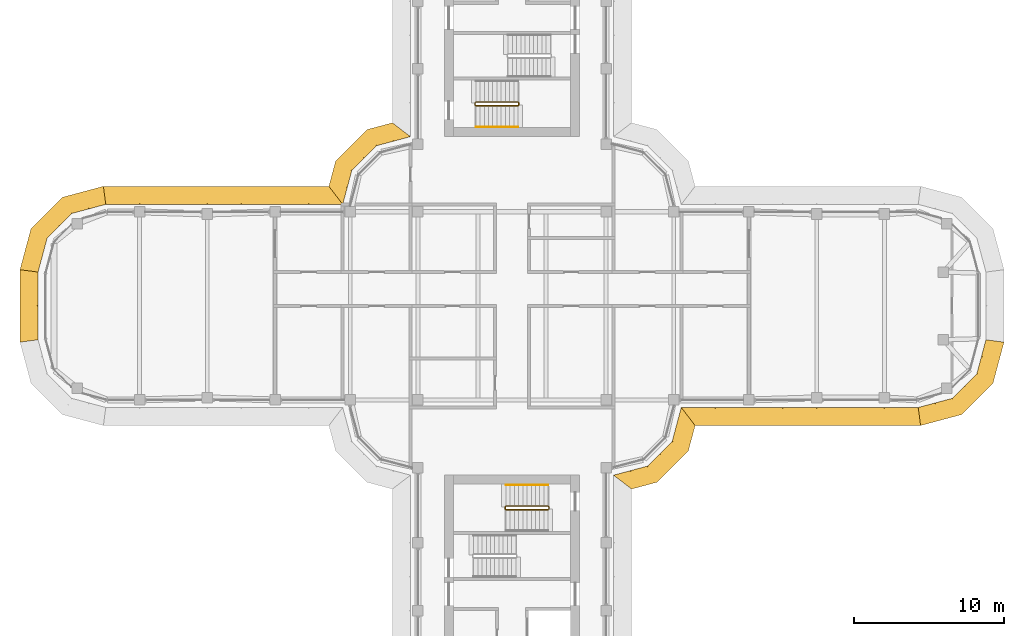
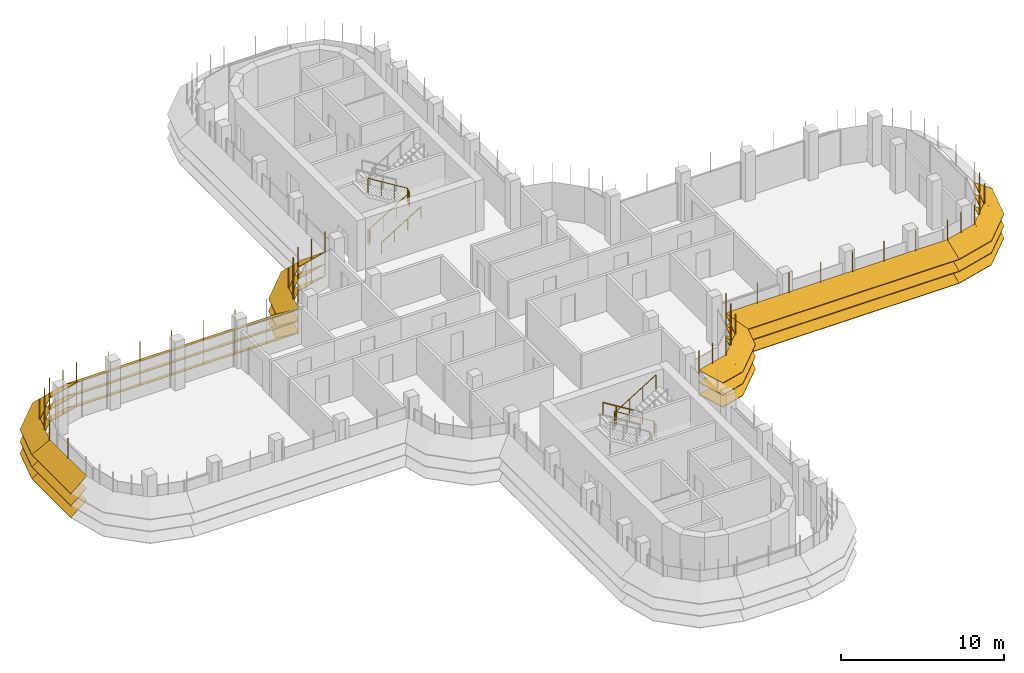
# One storey, part 17 of 18: 7 shading devices, 4 railings.
"""IFC4 building model written with IfcOpenShell, lengths in metres."""

from ifc_helpers import new_model, si_unit, direction, frame, origin, origin_2d, place, context, subcontext, project, spatial, polyline, circle, outline, extrude, faceted_brep, source, transform, mapped, material, type_object, element, save


model = new_model("IFC4")

# Units and contexts
model_context = context("Model", 3, precision=1e-05, world=origin(), true_north=direction((0.0, 1.0)))
body_context = subcontext(model_context, "Body", "Model", "MODEL_VIEW")
ifc_project = project(units=[si_unit("LENGTHUNIT", "METRE"), si_unit("AREAUNIT", "SQUARE_METRE"), si_unit("VOLUMEUNIT", "CUBIC_METRE"), si_unit("PLANEANGLEUNIT", "RADIAN"), si_unit("MASSUNIT", "GRAM", prefix="KILO")], contexts=[model_context])

# Site, building, storey
site_placement = place(None, origin())
site = spatial("IfcSite", under=ifc_project, at=site_placement, CompositionType="ELEMENT")
building_placement = place(site_placement, origin())
building = spatial("IfcBuilding", under=site, at=building_placement, Name="Zarbagh Exchange Tower", CompositionType="ELEMENT")
storey_placement = place(building_placement, frame((0.0, 0.0, 210.60009765625)))
storey = spatial("IfcBuildingStorey", under=building, at=storey_placement, Name="L51", CompositionType="ELEMENT", Elevation=210.60009765625)

# Railings
ifc_material_1 = material(Name="Stainless steel", Category="steel")
railing_type_1 = type_object("IfcRailingType", Name="Stair guard 1100 mm", PredefinedType="GUARDRAIL", material=ifc_material_1)
railing_1_placement = place(storey_placement, frame((-2.449951171875, 13.5, 0.0)))
element("IfcRailing", 1, at=railing_1_placement, inside=storey, type_object=railing_type_1, Name="ST2 stair guard 1", PredefinedType="GUARDRAIL", context=body_context, shape_type="SweptSolid", body=[
    extrude(circle(Radius=0.02392578125, at=origin_2d()), frame((0.0, 0.0, 1.076171875), z_axis=(0.0, -1.0, 0.0), x_axis=(1.0, 0.0, 0.0)), (0.0, 0.0, 1.0), 0.14990234375),
    extrude(circle(Radius=0.02392578125, at=origin_2d()), frame((0.0, -0.14990234375, 1.076171875), z_axis=(0.268277960024, -0.268277960024, 0.925231793839), x_axis=(0.707106781187, 0.707106781187, 0.0)), (0.0, 0.0, 1.0), 0.1865234375),
    extrude(circle(Radius=0.02392578125, at=origin_2d()), frame((0.050048828125, -0.199951171875, 1.24853515625), z_axis=(0.851069175582, 0.0, 0.525053576669), x_axis=(0.0, 1.0, 0.0)), (0.0, 0.0, 1.0), 3.289794921875),
    extrude(circle(Radius=0.02392578125, at=origin_2d()), frame((2.849853515625, -0.199951171875, 2.97607421875), z_axis=(0.707106781187, 0.707106781187, 0.0), x_axis=(-0.707106781187, 0.707106781187, 0.0)), (0.0, 0.0, 1.0), 0.07080078125),
    extrude(circle(Radius=0.02392578125, at=origin_2d()), frame((2.89990234375, -0.14990234375, 2.97607421875), z_axis=(0.0, 1.0, 0.0), x_axis=(-1.0, 0.0, 0.0)), (0.0, 0.0, 1.0), 0.14990234375),
    extrude(circle(Radius=0.02392578125, at=origin_2d()), frame((2.89990234375, 0.0, 2.97607421875), z_axis=(-0.268277960024, 0.268277960024, 0.925231793839), x_axis=(-0.707106781187, -0.707106781187, 0.0)), (0.0, 0.0, 1.0), 0.1865234375),
    extrude(circle(Radius=0.02392578125, at=origin_2d()), frame((2.849853515625, 0.050048828125, 3.1484375), z_axis=(-0.851069175582, 0.0, 0.525053576669), x_axis=(0.0, -1.0, 0.0)), (0.0, 0.0, 1.0), 3.289794921875),
    extrude(circle(Radius=0.02099609375, at=origin_2d()), origin(), (0.0, 0.0, 1.0), 1.052001953125),
    extrude(circle(Radius=0.02099609375, at=origin_2d()), frame((0.0, -0.14990234375, 0.0)), (0.0, 0.0, 1.0), 1.052001953125),
    extrude(circle(Radius=0.02099609375, at=origin_2d()), frame((0.050048828125, -0.199951171875, 0.172607421875)), (0.0, 0.0, 1.0), 1.052001953125),
    extrude(circle(Radius=0.02099609375, at=origin_2d()), frame((0.9833984375, -0.199951171875, 0.748291015625)), (0.0, 0.0, 1.0), 1.052001953125),
    extrude(circle(Radius=0.02099609375, at=origin_2d()), frame((1.91650390625, -0.199951171875, 1.32421875)), (0.0, 0.0, 1.0), 1.052001953125),
    extrude(circle(Radius=0.02099609375, at=origin_2d()), frame((2.849853515625, -0.199951171875, 1.89990234375)), (0.0, 0.0, 1.0), 1.052001953125),
    extrude(circle(Radius=0.02099609375, at=origin_2d()), frame((2.89990234375, -0.14990234375, 1.89990234375)), (0.0, 0.0, 1.0), 1.052001953125),
    extrude(circle(Radius=0.02099609375, at=origin_2d()), frame((2.89990234375, 0.0, 1.89990234375)), (0.0, 0.0, 1.0), 1.052001953125),
    extrude(circle(Radius=0.02099609375, at=origin_2d()), frame((2.849853515625, 0.050048828125, 2.072509765625)), (0.0, 0.0, 1.0), 1.052001953125),
    extrude(circle(Radius=0.02099609375, at=origin_2d()), frame((1.91650390625, 0.050048828125, 2.648193359375)), (0.0, 0.0, 1.0), 1.052001953125),
    extrude(circle(Radius=0.02099609375, at=origin_2d()), frame((0.9833984375, 0.050048828125, 3.22412109375)), (0.0, 0.0, 1.0), 1.052001953125),
    extrude(circle(Radius=0.02099609375, at=origin_2d()), frame((0.050048828125, 0.050048828125, 3.7998046875)), (0.0, 0.0, 1.0), 1.052001953125),
])
railing_2_placement = place(storey_placement, frame((2.449951171875, -13.5, 0.0)))
element("IfcRailing", 2, at=railing_2_placement, inside=storey, type_object=railing_type_1, Name="ST4 stair guard 1", PredefinedType="GUARDRAIL", context=body_context, shape_type="SweptSolid", body=[
    extrude(circle(Radius=0.02392578125, at=origin_2d()), frame((0.0, 0.0, 1.076171875), z_axis=(0.0, 1.0, 0.0), x_axis=(-1.0, 0.0, 0.0)), (0.0, 0.0, 1.0), 0.14990234375),
    extrude(circle(Radius=0.02392578125, at=origin_2d()), frame((0.0, 0.14990234375, 1.076171875), z_axis=(-0.268277960024, 0.268277960024, 0.925231793839), x_axis=(-0.707106781187, -0.707106781187, 0.0)), (0.0, 0.0, 1.0), 0.1865234375),
    extrude(circle(Radius=0.02392578125, at=origin_2d()), frame((-0.050048828125, 0.199951171875, 1.24853515625), z_axis=(-0.851069175582, 0.0, 0.525053576669), x_axis=(0.0, -1.0, 0.0)), (0.0, 0.0, 1.0), 3.289794921875),
    extrude(circle(Radius=0.02392578125, at=origin_2d()), frame((-2.849853515625, 0.199951171875, 2.97607421875), z_axis=(-0.707106781187, -0.707106781187, 0.0), x_axis=(0.707106781187, -0.707106781187, 0.0)), (0.0, 0.0, 1.0), 0.07080078125),
    extrude(circle(Radius=0.02392578125, at=origin_2d()), frame((-2.89990234375, 0.14990234375, 2.97607421875), z_axis=(0.0, -1.0, 0.0), x_axis=(1.0, 0.0, 0.0)), (0.0, 0.0, 1.0), 0.14990234375),
    extrude(circle(Radius=0.02392578125, at=origin_2d()), frame((-2.89990234375, 0.0, 2.97607421875), z_axis=(0.268277960024, -0.268277960024, 0.925231793839), x_axis=(0.707106781187, 0.707106781187, 0.0)), (0.0, 0.0, 1.0), 0.1865234375),
    extrude(circle(Radius=0.02392578125, at=origin_2d()), frame((-2.849853515625, -0.050048828125, 3.1484375), z_axis=(0.851069175582, 0.0, 0.525053576669), x_axis=(0.0, 1.0, 0.0)), (0.0, 0.0, 1.0), 3.289794921875),
    extrude(circle(Radius=0.02099609375, at=origin_2d()), origin(), (0.0, 0.0, 1.0), 1.052001953125),
    extrude(circle(Radius=0.02099609375, at=origin_2d()), frame((0.0, 0.14990234375, 0.0)), (0.0, 0.0, 1.0), 1.052001953125),
    extrude(circle(Radius=0.02099609375, at=origin_2d()), frame((-0.050048828125, 0.199951171875, 0.172607421875)), (0.0, 0.0, 1.0), 1.052001953125),
    extrude(circle(Radius=0.02099609375, at=origin_2d()), frame((-0.9833984375, 0.199951171875, 0.748291015625)), (0.0, 0.0, 1.0), 1.052001953125),
    extrude(circle(Radius=0.02099609375, at=origin_2d()), frame((-1.91650390625, 0.199951171875, 1.32421875)), (0.0, 0.0, 1.0), 1.052001953125),
    extrude(circle(Radius=0.02099609375, at=origin_2d()), frame((-2.849853515625, 0.199951171875, 1.89990234375)), (0.0, 0.0, 1.0), 1.052001953125),
    extrude(circle(Radius=0.02099609375, at=origin_2d()), frame((-2.89990234375, 0.14990234375, 1.89990234375)), (0.0, 0.0, 1.0), 1.052001953125),
    extrude(circle(Radius=0.02099609375, at=origin_2d()), frame((-2.89990234375, 0.0, 1.89990234375)), (0.0, 0.0, 1.0), 1.052001953125),
    extrude(circle(Radius=0.02099609375, at=origin_2d()), frame((-2.849853515625, -0.050048828125, 2.072509765625)), (0.0, 0.0, 1.0), 1.052001953125),
    extrude(circle(Radius=0.02099609375, at=origin_2d()), frame((-1.91650390625, -0.050048828125, 2.648193359375)), (0.0, 0.0, 1.0), 1.052001953125),
    extrude(circle(Radius=0.02099609375, at=origin_2d()), frame((-0.9833984375, -0.050048828125, 3.22412109375)), (0.0, 0.0, 1.0), 1.052001953125),
    extrude(circle(Radius=0.02099609375, at=origin_2d()), frame((-0.050048828125, -0.050048828125, 3.7998046875)), (0.0, 0.0, 1.0), 1.052001953125),
])
railing_type_2 = type_object("IfcRailingType", Name="Stair handrail 900 mm", PredefinedType="HANDRAIL", material=ifc_material_1)
railing_3_placement = place(storey_placement, frame((-2.39990234375, 11.89990234375, 0.172607421875)))
element("IfcRailing", 3, at=railing_3_placement, inside=storey, type_object=railing_type_2, Name="ST2 stair handrail 1", PredefinedType="HANDRAIL", context=body_context, shape_type="SweptSolid", body=[
    extrude(circle(Radius=0.02392578125, at=origin_2d()), frame((0.0, 0.0, 0.8759765625), z_axis=(0.851069175582, 0.0, 0.525053576669), x_axis=(0.0, 1.0, 0.0)), (0.0, 0.0, 1.0), 3.289794921875),
    extrude(circle(Radius=0.02099609375, at=origin_2d()), origin(), (0.0, 0.0, 1.0), 0.851806640625),
    extrude(circle(Radius=0.02099609375, at=origin_2d()), frame((0.933349609375, 0.0, 0.57568359375)), (0.0, 0.0, 1.0), 0.851806640625),
    extrude(circle(Radius=0.02099609375, at=origin_2d()), frame((1.866455078125, 0.0, 1.151611328125)), (0.0, 0.0, 1.0), 0.851806640625),
    extrude(circle(Radius=0.02099609375, at=origin_2d()), frame((2.7998046875, 0.0, 1.727294921875)), (0.0, 0.0, 1.0), 0.851806640625),
])
railing_4_placement = place(storey_placement, frame((2.39990234375, -11.89990234375, 0.172607421875)))
element("IfcRailing", 4, at=railing_4_placement, inside=storey, type_object=railing_type_2, Name="ST4 stair handrail 1", PredefinedType="HANDRAIL", context=body_context, shape_type="SweptSolid", body=[
    extrude(circle(Radius=0.02392578125, at=origin_2d()), frame((0.0, 0.0, 0.8759765625), z_axis=(-0.851069175582, 0.0, 0.525053576669), x_axis=(0.0, -1.0, 0.0)), (0.0, 0.0, 1.0), 3.289794921875),
    extrude(circle(Radius=0.02099609375, at=origin_2d()), origin(), (0.0, 0.0, 1.0), 0.851806640625),
    extrude(circle(Radius=0.02099609375, at=origin_2d()), frame((-0.933349609375, 0.0, 0.57568359375)), (0.0, 0.0, 1.0), 0.851806640625),
    extrude(circle(Radius=0.02099609375, at=origin_2d()), frame((-1.866455078125, 0.0, 1.151611328125)), (0.0, 0.0, 1.0), 0.851806640625),
    extrude(circle(Radius=0.02099609375, at=origin_2d()), frame((-2.7998046875, 0.0, 1.727294921875)), (0.0, 0.0, 1.0), 0.851806640625),
])

# Shading devices
ifc_material_2 = material(Name="Anodised aluminium blades and brackets", Category="aluminium")
shading_device_type = type_object("IfcShadingDeviceType", Name="SUNSHADE louvre band, 33.75 degree blades", PredefinedType="JALOUSIE", material=ifc_material_2)
shared_shape_1 = source(origin(), body_context, "Body", "Brep", [
    faceted_brep([(0.0, 0.0, 0.0), (0.0, 0.0, -0.048095703125), (-0.157958984375, -1.199951171875, -0.849853515625), (-0.157958984375, -1.199951171875, -0.8017578125), (2.65087890625, -1.199951171875, -0.8017578125), (2.65087890625, -1.199951171875, -0.849853515625), (2.329345703125, 0.0, -0.048095703125), (2.329345703125, 0.0, 0.0)], [[[0, 1, 2, 3]], [[4, 5, 6, 7]], [[0, 7, 6, 1]], [[1, 6, 5, 2]], [[2, 5, 4, 3]], [[3, 4, 7, 0]]]),
])
shared_shape_2 = source(origin(), body_context, "Body", "Brep", [
    faceted_brep([(0.0, 0.0, 0.0), (0.0, 0.0, -0.048095703125), (-0.321533203125, -1.199951171875, -0.849853515625), (-0.321533203125, -1.199951171875, -0.8017578125), (2.65087890625, -1.199951171875, -0.8017578125), (2.65087890625, -1.199951171875, -0.849853515625), (2.329345703125, 0.0, -0.048095703125), (2.329345703125, 0.0, 0.0)], [[[0, 1, 2, 3]], [[4, 5, 6, 7]], [[0, 7, 6, 1]], [[1, 6, 5, 2]], [[2, 5, 4, 3]], [[3, 4, 7, 0]]]),
])
shared_shape_3 = source(origin(), body_context, "Body", "Brep", [
    faceted_brep([(0.0, 0.0, 0.0), (0.0, 0.0, -0.048095703125), (-0.321533203125, -1.199951171875, -0.849853515625), (-0.321533203125, -1.199951171875, -0.8017578125), (2.4873046875, -1.199951171875, -0.8017578125), (2.4873046875, -1.199951171875, -0.849853515625), (2.329345703125, 0.0, -0.048095703125), (2.329345703125, 0.0, 0.0)], [[[0, 1, 2, 3]], [[4, 5, 6, 7]], [[0, 7, 6, 1]], [[1, 6, 5, 2]], [[2, 5, 4, 3]], [[3, 4, 7, 0]]]),
])
shared_shape_4 = source(origin(), body_context, "Body", "SweptSolid", [
    extrude(outline(polyline([(0.0, -0.012451171875), (0.06005859375, -0.012451171875), (0.06005859375, 0.012451171875), (0.0, 0.012451171875), (0.0, -0.012451171875)])), origin(), (0.0, 0.0, 1.0), 3.358154296875),
])
placement = place(storey_placement, origin())
element("IfcShadingDevice", 5, at=placement, inside=storey, type_object=shading_device_type, Name="SS31 sunshade band", PredefinedType="JALOUSIE", context=body_context, shape_type="MappedRepresentation", body=[
    mapped(shared_shape_1, transform((27.0, -6.75, 2.2998046875), x_axis=(0.965924289636, 0.258824779902, 0.0), y_axis=(-0.258824779902, 0.965924289636, 0.0), z_axis=(0.0, 0.0, 1.0))),
    mapped(shared_shape_1, transform((27.0, -6.75, 1.39990234375), x_axis=(0.965924289636, 0.258824779902, 0.0), y_axis=(-0.258824779902, 0.965924289636, 0.0), z_axis=(0.0, 0.0, 1.0))),
    mapped(shared_shape_1, transform((27.0, -6.75, 0.5), x_axis=(0.965924289636, 0.258824779902, 0.0), y_axis=(-0.258824779902, 0.965924289636, 0.0), z_axis=(0.0, 0.0, 1.0))),
    mapped(shared_shape_2, transform((29.25, -6.147216796875, 2.2998046875), x_axis=(0.707106781187, 0.707106781187, 0.0), y_axis=(-0.707106781187, 0.707106781187, 0.0), z_axis=(0.0, 0.0, 1.0))),
    mapped(shared_shape_2, transform((29.25, -6.147216796875, 1.39990234375), x_axis=(0.707106781187, 0.707106781187, 0.0), y_axis=(-0.707106781187, 0.707106781187, 0.0), z_axis=(0.0, 0.0, 1.0))),
    mapped(shared_shape_2, transform((29.25, -6.147216796875, 0.5), x_axis=(0.707106781187, 0.707106781187, 0.0), y_axis=(-0.707106781187, 0.707106781187, 0.0), z_axis=(0.0, 0.0, 1.0))),
    mapped(shared_shape_3, transform((30.897216796875, -4.5, 2.2998046875), x_axis=(0.258824779902, 0.965924289636, 0.0), y_axis=(-0.965924289636, 0.258824779902, 0.0), z_axis=(0.0, 0.0, 1.0))),
    mapped(shared_shape_3, transform((30.897216796875, -4.5, 1.39990234375), x_axis=(0.258824779902, 0.965924289636, 0.0), y_axis=(-0.965924289636, 0.258824779902, 0.0), z_axis=(0.0, 0.0, 1.0))),
    mapped(shared_shape_3, transform((30.897216796875, -4.5, 0.5), x_axis=(0.258824779902, 0.965924289636, 0.0), y_axis=(-0.965924289636, 0.258824779902, 0.0), z_axis=(0.0, 0.0, 1.0))),
    mapped(shared_shape_4, transform((27.0, -6.75, 0.421875), x_axis=(0.130529263012, -0.991444457092, 0.0), y_axis=(0.991444457092, 0.130529263012, 0.0), z_axis=(0.0, 0.0, 1.0))),
    mapped(shared_shape_4, transform((28.125, -6.448486328125, 0.421875), x_axis=(0.258825058029, -0.96592421511, 0.0), y_axis=(0.96592421511, 0.258825058029, 0.0), z_axis=(0.0, 0.0, 1.0))),
    mapped(shared_shape_4, transform((29.25, -6.147216796875, 0.421875), x_axis=(0.50000275701, -0.866023812018, 0.0), y_axis=(0.866023812018, 0.50000275701, 0.0), z_axis=(0.0, 0.0, 1.0))),
    mapped(shared_shape_4, transform((30.073486328125, -5.323486328125, 0.421875), x_axis=(0.707106781187, -0.707106781187, 0.0), y_axis=(0.707106781187, 0.707106781187, 0.0), z_axis=(0.0, 0.0, 1.0))),
    mapped(shared_shape_4, transform((30.897216796875, -4.5, 0.421875), x_axis=(0.866023812018, -0.50000275701, 0.0), y_axis=(0.50000275701, 0.866023812018, 0.0), z_axis=(0.0, 0.0, 1.0))),
    mapped(shared_shape_4, transform((31.198486328125, -3.375, 0.421875), x_axis=(0.96592421511, -0.258825058029, 0.0), y_axis=(0.258825058029, 0.96592421511, 0.0), z_axis=(0.0, 0.0, 1.0))),
])
element("IfcShadingDevice", 6, at=placement, inside=storey, type_object=shading_device_type, Name="SS41 sunshade band", PredefinedType="JALOUSIE", context=body_context, shape_type="MappedRepresentation", body=[
    mapped(shared_shape_1, transform((-27.0, 6.75, 2.2998046875), x_axis=(-0.965924289636, -0.258824779902, 0.0), y_axis=(0.258824779902, -0.965924289636, 0.0), z_axis=(0.0, 0.0, 1.0))),
    mapped(shared_shape_1, transform((-27.0, 6.75, 1.39990234375), x_axis=(-0.965924289636, -0.258824779902, 0.0), y_axis=(0.258824779902, -0.965924289636, 0.0), z_axis=(0.0, 0.0, 1.0))),
    mapped(shared_shape_1, transform((-27.0, 6.75, 0.5), x_axis=(-0.965924289636, -0.258824779902, 0.0), y_axis=(0.258824779902, -0.965924289636, 0.0), z_axis=(0.0, 0.0, 1.0))),
    mapped(shared_shape_2, transform((-29.25, 6.147216796875, 2.2998046875), x_axis=(-0.707106781187, -0.707106781187, 0.0), y_axis=(0.707106781187, -0.707106781187, 0.0), z_axis=(0.0, 0.0, 1.0))),
    mapped(shared_shape_2, transform((-29.25, 6.147216796875, 1.39990234375), x_axis=(-0.707106781187, -0.707106781187, 0.0), y_axis=(0.707106781187, -0.707106781187, 0.0), z_axis=(0.0, 0.0, 1.0))),
    mapped(shared_shape_2, transform((-29.25, 6.147216796875, 0.5), x_axis=(-0.707106781187, -0.707106781187, 0.0), y_axis=(0.707106781187, -0.707106781187, 0.0), z_axis=(0.0, 0.0, 1.0))),
    mapped(shared_shape_3, transform((-30.897216796875, 4.5, 2.2998046875), x_axis=(-0.258824779902, -0.965924289636, 0.0), y_axis=(0.965924289636, -0.258824779902, 0.0), z_axis=(0.0, 0.0, 1.0))),
    mapped(shared_shape_3, transform((-30.897216796875, 4.5, 1.39990234375), x_axis=(-0.258824779902, -0.965924289636, 0.0), y_axis=(0.965924289636, -0.258824779902, 0.0), z_axis=(0.0, 0.0, 1.0))),
    mapped(shared_shape_3, transform((-30.897216796875, 4.5, 0.5), x_axis=(-0.258824779902, -0.965924289636, 0.0), y_axis=(0.965924289636, -0.258824779902, 0.0), z_axis=(0.0, 0.0, 1.0))),
    mapped(shared_shape_4, transform((-27.0, 6.75, 0.421875), x_axis=(-0.130529263012, 0.991444457092, 0.0), y_axis=(-0.991444457092, -0.130529263012, 0.0), z_axis=(0.0, 0.0, 1.0))),
    mapped(shared_shape_4, transform((-28.125, 6.448486328125, 0.421875), x_axis=(-0.258825058029, 0.96592421511, 0.0), y_axis=(-0.96592421511, -0.258825058029, 0.0), z_axis=(0.0, 0.0, 1.0))),
    mapped(shared_shape_4, transform((-29.25, 6.147216796875, 0.421875), x_axis=(-0.50000275701, 0.866023812018, 0.0), y_axis=(-0.866023812018, -0.50000275701, 0.0), z_axis=(0.0, 0.0, 1.0))),
    mapped(shared_shape_4, transform((-30.073486328125, 5.323486328125, 0.421875), x_axis=(-0.707106781187, 0.707106781187, 0.0), y_axis=(-0.707106781187, -0.707106781187, 0.0), z_axis=(0.0, 0.0, 1.0))),
    mapped(shared_shape_4, transform((-30.897216796875, 4.5, 0.421875), x_axis=(-0.866023812018, 0.50000275701, 0.0), y_axis=(-0.50000275701, -0.866023812018, 0.0), z_axis=(0.0, 0.0, 1.0))),
    mapped(shared_shape_4, transform((-31.198486328125, 3.375, 0.421875), x_axis=(-0.96592421511, 0.258825058029, 0.0), y_axis=(-0.258825058029, -0.96592421511, 0.0), z_axis=(0.0, 0.0, 1.0))),
])
shared_shape_5 = source(origin(), body_context, "Body", "Brep", [
    faceted_brep([(0.0, 0.0, 0.0), (0.0, 0.0, -0.048095703125), (0.9208984375, -1.199951171875, -0.849853515625), (0.9208984375, -1.199951171875, -0.8017578125), (2.65087890625, -1.199951171875, -0.8017578125), (2.65087890625, -1.199951171875, -0.849853515625), (2.329345703125, 0.0, -0.048095703125), (2.329345703125, 0.0, 0.0)], [[[0, 1, 2, 3]], [[4, 5, 6, 7]], [[0, 7, 6, 1]], [[1, 6, 5, 2]], [[2, 5, 4, 3]], [[3, 4, 7, 0]]]),
])
shared_shape_6 = source(origin(), body_context, "Body", "Brep", [
    faceted_brep([(0.0, 0.0, 0.0), (0.0, 0.0, -0.048095703125), (-0.321533203125, -1.199951171875, -0.849853515625), (-0.321533203125, -1.199951171875, -0.8017578125), (1.40869140625, -1.199951171875, -0.8017578125), (1.40869140625, -1.199951171875, -0.849853515625), (2.329345703125, 0.0, -0.048095703125), (2.329345703125, 0.0, 0.0)], [[[0, 1, 2, 3]], [[4, 5, 6, 7]], [[0, 7, 6, 1]], [[1, 6, 5, 2]], [[2, 5, 4, 3]], [[3, 4, 7, 0]]]),
])
element("IfcShadingDevice", 7, at=placement, inside=storey, type_object=shading_device_type, Name="SS03 sunshade band", PredefinedType="JALOUSIE", context=body_context, shape_type="MappedRepresentation", body=[
    mapped(shared_shape_5, transform((6.75, -11.25, 2.2998046875), x_axis=(0.965924289636, 0.258824779902, 0.0), y_axis=(-0.258824779902, 0.965924289636, 0.0), z_axis=(0.0, 0.0, 1.0))),
    mapped(shared_shape_5, transform((6.75, -11.25, 1.39990234375), x_axis=(0.965924289636, 0.258824779902, 0.0), y_axis=(-0.258824779902, 0.965924289636, 0.0), z_axis=(0.0, 0.0, 1.0))),
    mapped(shared_shape_5, transform((6.75, -11.25, 0.5), x_axis=(0.965924289636, 0.258824779902, 0.0), y_axis=(-0.258824779902, 0.965924289636, 0.0), z_axis=(0.0, 0.0, 1.0))),
    mapped(shared_shape_2, transform((9.0, -10.647216796875, 2.2998046875), x_axis=(0.707106781187, 0.707106781187, 0.0), y_axis=(-0.707106781187, 0.707106781187, 0.0), z_axis=(0.0, 0.0, 1.0))),
    mapped(shared_shape_2, transform((9.0, -10.647216796875, 1.39990234375), x_axis=(0.707106781187, 0.707106781187, 0.0), y_axis=(-0.707106781187, 0.707106781187, 0.0), z_axis=(0.0, 0.0, 1.0))),
    mapped(shared_shape_2, transform((9.0, -10.647216796875, 0.5), x_axis=(0.707106781187, 0.707106781187, 0.0), y_axis=(-0.707106781187, 0.707106781187, 0.0), z_axis=(0.0, 0.0, 1.0))),
    mapped(shared_shape_6, transform((10.647216796875, -9.0, 2.2998046875), x_axis=(0.258824779902, 0.965924289636, 0.0), y_axis=(-0.965924289636, 0.258824779902, 0.0), z_axis=(0.0, 0.0, 1.0))),
    mapped(shared_shape_6, transform((10.647216796875, -9.0, 1.39990234375), x_axis=(0.258824779902, 0.965924289636, 0.0), y_axis=(-0.965924289636, 0.258824779902, 0.0), z_axis=(0.0, 0.0, 1.0))),
    mapped(shared_shape_6, transform((10.647216796875, -9.0, 0.5), x_axis=(0.258824779902, 0.965924289636, 0.0), y_axis=(-0.965924289636, 0.258824779902, 0.0), z_axis=(0.0, 0.0, 1.0))),
    mapped(shared_shape_4, transform((6.75, -11.25, 0.421875), x_axis=(0.793355287, -0.608758892, 0.0), y_axis=(0.608758892, 0.793355287, 0.0), z_axis=(0.0, 0.0, 1.0))),
    mapped(shared_shape_4, transform((7.875, -10.948486328125, 0.421875), x_axis=(0.258825058029, -0.96592421511, 0.0), y_axis=(0.96592421511, 0.258825058029, 0.0), z_axis=(0.0, 0.0, 1.0))),
    mapped(shared_shape_4, transform((9.0, -10.647216796875, 0.421875), x_axis=(0.50000275701, -0.866023812018, 0.0), y_axis=(0.866023812018, 0.50000275701, 0.0), z_axis=(0.0, 0.0, 1.0))),
    mapped(shared_shape_4, transform((9.823486328125, -9.823486328125, 0.421875), x_axis=(0.707106781187, -0.707106781187, 0.0), y_axis=(0.707106781187, 0.707106781187, 0.0), z_axis=(0.0, 0.0, 1.0))),
    mapped(shared_shape_4, transform((10.647216796875, -9.0, 0.421875), x_axis=(0.866023812018, -0.50000275701, 0.0), y_axis=(0.50000275701, 0.866023812018, 0.0), z_axis=(0.0, 0.0, 1.0))),
    mapped(shared_shape_4, transform((10.948486328125, -7.875, 0.421875), x_axis=(0.96592421511, -0.258825058029, 0.0), y_axis=(0.258825058029, 0.96592421511, 0.0), z_axis=(0.0, 0.0, 1.0))),
])
element("IfcShadingDevice", 8, at=placement, inside=storey, type_object=shading_device_type, Name="SS15 sunshade band", PredefinedType="JALOUSIE", context=body_context, shape_type="MappedRepresentation", body=[
    mapped(shared_shape_5, transform((-6.75, 11.25, 2.2998046875), x_axis=(-0.965924289636, -0.258824779902, 0.0), y_axis=(0.258824779902, -0.965924289636, 0.0), z_axis=(0.0, 0.0, 1.0))),
    mapped(shared_shape_5, transform((-6.75, 11.25, 1.39990234375), x_axis=(-0.965924289636, -0.258824779902, 0.0), y_axis=(0.258824779902, -0.965924289636, 0.0), z_axis=(0.0, 0.0, 1.0))),
    mapped(shared_shape_5, transform((-6.75, 11.25, 0.5), x_axis=(-0.965924289636, -0.258824779902, 0.0), y_axis=(0.258824779902, -0.965924289636, 0.0), z_axis=(0.0, 0.0, 1.0))),
    mapped(shared_shape_2, transform((-9.0, 10.647216796875, 2.2998046875), x_axis=(-0.707106781187, -0.707106781187, 0.0), y_axis=(0.707106781187, -0.707106781187, 0.0), z_axis=(0.0, 0.0, 1.0))),
    mapped(shared_shape_2, transform((-9.0, 10.647216796875, 1.39990234375), x_axis=(-0.707106781187, -0.707106781187, 0.0), y_axis=(0.707106781187, -0.707106781187, 0.0), z_axis=(0.0, 0.0, 1.0))),
    mapped(shared_shape_2, transform((-9.0, 10.647216796875, 0.5), x_axis=(-0.707106781187, -0.707106781187, 0.0), y_axis=(0.707106781187, -0.707106781187, 0.0), z_axis=(0.0, 0.0, 1.0))),
    mapped(shared_shape_6, transform((-10.647216796875, 9.0, 2.2998046875), x_axis=(-0.258824779902, -0.965924289636, 0.0), y_axis=(0.965924289636, -0.258824779902, 0.0), z_axis=(0.0, 0.0, 1.0))),
    mapped(shared_shape_6, transform((-10.647216796875, 9.0, 1.39990234375), x_axis=(-0.258824779902, -0.965924289636, 0.0), y_axis=(0.965924289636, -0.258824779902, 0.0), z_axis=(0.0, 0.0, 1.0))),
    mapped(shared_shape_6, transform((-10.647216796875, 9.0, 0.5), x_axis=(-0.258824779902, -0.965924289636, 0.0), y_axis=(0.965924289636, -0.258824779902, 0.0), z_axis=(0.0, 0.0, 1.0))),
    mapped(shared_shape_4, transform((-6.75, 11.25, 0.421875), x_axis=(-0.793355287, 0.608758892, 0.0), y_axis=(-0.608758892, -0.793355287, 0.0), z_axis=(0.0, 0.0, 1.0))),
    mapped(shared_shape_4, transform((-7.875, 10.948486328125, 0.421875), x_axis=(-0.258825058029, 0.96592421511, 0.0), y_axis=(-0.96592421511, -0.258825058029, 0.0), z_axis=(0.0, 0.0, 1.0))),
    mapped(shared_shape_4, transform((-9.0, 10.647216796875, 0.421875), x_axis=(-0.50000275701, 0.866023812018, 0.0), y_axis=(-0.866023812018, -0.50000275701, 0.0), z_axis=(0.0, 0.0, 1.0))),
    mapped(shared_shape_4, transform((-9.823486328125, 9.823486328125, 0.421875), x_axis=(-0.707106781187, 0.707106781187, 0.0), y_axis=(-0.707106781187, -0.707106781187, 0.0), z_axis=(0.0, 0.0, 1.0))),
    mapped(shared_shape_4, transform((-10.647216796875, 9.0, 0.421875), x_axis=(-0.866023812018, 0.50000275701, 0.0), y_axis=(-0.50000275701, -0.866023812018, 0.0), z_axis=(0.0, 0.0, 1.0))),
    mapped(shared_shape_4, transform((-10.948486328125, 7.875, 0.421875), x_axis=(-0.96592421511, 0.258825058029, 0.0), y_axis=(-0.258825058029, -0.96592421511, 0.0), z_axis=(0.0, 0.0, 1.0))),
])
shared_shape_7 = source(origin(), body_context, "Body", "Brep", [
    faceted_brep([(0.0, 0.0, 0.0), (0.0, 0.0, -0.048095703125), (0.9208984375, -1.199951171875, -0.849853515625), (0.9208984375, -1.199951171875, -0.8017578125), (15.907958984375, -1.199951171875, -0.8017578125), (15.907958984375, -1.199951171875, -0.849853515625), (15.75, 0.0, -0.048095703125), (15.75, 0.0, 0.0)], [[[0, 1, 2, 3]], [[4, 5, 6, 7]], [[0, 7, 6, 1]], [[1, 6, 5, 2]], [[2, 5, 4, 3]], [[3, 4, 7, 0]]]),
])
element("IfcShadingDevice", 9, at=placement, inside=storey, type_object=shading_device_type, Name="SS30 sunshade band", PredefinedType="JALOUSIE", context=body_context, shape_type="MappedRepresentation", body=[
    mapped(shared_shape_7, transform((11.25, -6.75, 2.2998046875), x_axis=(1.0, 0.0, 0.0), y_axis=(0.0, 1.0, 0.0), z_axis=(0.0, 0.0, 1.0))),
    mapped(shared_shape_7, transform((11.25, -6.75, 1.39990234375), x_axis=(1.0, 0.0, 0.0), y_axis=(0.0, 1.0, 0.0), z_axis=(0.0, 0.0, 1.0))),
    mapped(shared_shape_7, transform((11.25, -6.75, 0.5), x_axis=(1.0, 0.0, 0.0), y_axis=(0.0, 1.0, 0.0), z_axis=(0.0, 0.0, 1.0))),
    mapped(shared_shape_4, transform((11.25, -6.75, 0.421875), x_axis=(0.608758892, -0.793355287, 0.0), y_axis=(0.793355287, 0.608758892, 0.0), z_axis=(0.0, 0.0, 1.0))),
    mapped(shared_shape_4, transform((13.5, -6.75, 0.421875), x_axis=(0.0, -1.0, 0.0), y_axis=(1.0, 0.0, 0.0), z_axis=(0.0, 0.0, 1.0))),
    mapped(shared_shape_4, transform((15.75, -6.75, 0.421875), x_axis=(0.0, -1.0, 0.0), y_axis=(1.0, 0.0, 0.0), z_axis=(0.0, 0.0, 1.0))),
    mapped(shared_shape_4, transform((18.0, -6.75, 0.421875), x_axis=(0.0, -1.0, 0.0), y_axis=(1.0, 0.0, 0.0), z_axis=(0.0, 0.0, 1.0))),
    mapped(shared_shape_4, transform((20.25, -6.75, 0.421875), x_axis=(0.0, -1.0, 0.0), y_axis=(1.0, 0.0, 0.0), z_axis=(0.0, 0.0, 1.0))),
    mapped(shared_shape_4, transform((22.5, -6.75, 0.421875), x_axis=(0.0, -1.0, 0.0), y_axis=(1.0, 0.0, 0.0), z_axis=(0.0, 0.0, 1.0))),
    mapped(shared_shape_4, transform((24.75, -6.75, 0.421875), x_axis=(0.0, -1.0, 0.0), y_axis=(1.0, 0.0, 0.0), z_axis=(0.0, 0.0, 1.0))),
])
element("IfcShadingDevice", 10, at=placement, inside=storey, type_object=shading_device_type, Name="SS40 sunshade band", PredefinedType="JALOUSIE", context=body_context, shape_type="MappedRepresentation", body=[
    mapped(shared_shape_7, transform((-11.25, 6.75, 2.2998046875), x_axis=(-1.0, 0.0, 0.0), y_axis=(0.0, -1.0, 0.0), z_axis=(0.0, 0.0, 1.0))),
    mapped(shared_shape_7, transform((-11.25, 6.75, 1.39990234375), x_axis=(-1.0, 0.0, 0.0), y_axis=(0.0, -1.0, 0.0), z_axis=(0.0, 0.0, 1.0))),
    mapped(shared_shape_7, transform((-11.25, 6.75, 0.5), x_axis=(-1.0, 0.0, 0.0), y_axis=(0.0, -1.0, 0.0), z_axis=(0.0, 0.0, 1.0))),
    mapped(shared_shape_4, transform((-11.25, 6.75, 0.421875), x_axis=(-0.608758892, 0.793355287, 0.0), y_axis=(-0.793355287, -0.608758892, 0.0), z_axis=(0.0, 0.0, 1.0))),
    mapped(shared_shape_4, transform((-13.5, 6.75, 0.421875), x_axis=(0.0, 1.0, 0.0), y_axis=(-1.0, 0.0, 0.0), z_axis=(0.0, 0.0, 1.0))),
    mapped(shared_shape_4, transform((-15.75, 6.75, 0.421875), x_axis=(0.0, 1.0, 0.0), y_axis=(-1.0, 0.0, 0.0), z_axis=(0.0, 0.0, 1.0))),
    mapped(shared_shape_4, transform((-18.0, 6.75, 0.421875), x_axis=(0.0, 1.0, 0.0), y_axis=(-1.0, 0.0, 0.0), z_axis=(0.0, 0.0, 1.0))),
    mapped(shared_shape_4, transform((-20.25, 6.75, 0.421875), x_axis=(0.0, 1.0, 0.0), y_axis=(-1.0, 0.0, 0.0), z_axis=(0.0, 0.0, 1.0))),
    mapped(shared_shape_4, transform((-22.5, 6.75, 0.421875), x_axis=(0.0, 1.0, 0.0), y_axis=(-1.0, 0.0, 0.0), z_axis=(0.0, 0.0, 1.0))),
    mapped(shared_shape_4, transform((-24.75, 6.75, 0.421875), x_axis=(0.0, 1.0, 0.0), y_axis=(-1.0, 0.0, 0.0), z_axis=(0.0, 0.0, 1.0))),
])
shared_shape_8 = source(origin(), body_context, "Body", "Brep", [
    faceted_brep([(0.0, 0.0, 0.0), (0.0, 0.0, -0.048095703125), (-0.157958984375, -1.199951171875, -0.849853515625), (-0.157958984375, -1.199951171875, -0.8017578125), (4.657958984375, -1.199951171875, -0.8017578125), (4.657958984375, -1.199951171875, -0.849853515625), (4.5, 0.0, -0.048095703125), (4.5, 0.0, 0.0)], [[[0, 1, 2, 3]], [[4, 5, 6, 7]], [[0, 7, 6, 1]], [[1, 6, 5, 2]], [[2, 5, 4, 3]], [[3, 4, 7, 0]]]),
])
element("IfcShadingDevice", 11, at=placement, inside=storey, type_object=shading_device_type, Name="SS42 sunshade band", PredefinedType="JALOUSIE", context=body_context, shape_type="MappedRepresentation", body=[
    mapped(shared_shape_8, transform((-31.5, 2.25, 2.2998046875), x_axis=(0.0, -1.0, 0.0), y_axis=(1.0, 0.0, 0.0), z_axis=(0.0, 0.0, 1.0))),
    mapped(shared_shape_8, transform((-31.5, 2.25, 1.39990234375), x_axis=(0.0, -1.0, 0.0), y_axis=(1.0, 0.0, 0.0), z_axis=(0.0, 0.0, 1.0))),
    mapped(shared_shape_8, transform((-31.5, 2.25, 0.5), x_axis=(0.0, -1.0, 0.0), y_axis=(1.0, 0.0, 0.0), z_axis=(0.0, 0.0, 1.0))),
    mapped(shared_shape_4, transform((-31.5, 2.25, 0.421875), x_axis=(-0.991444457092, 0.130529263012, 0.0), y_axis=(-0.130529263012, -0.991444457092, 0.0), z_axis=(0.0, 0.0, 1.0))),
    mapped(shared_shape_4, transform((-31.5, 0.0, 0.421875), x_axis=(-1.0, 0.0, 0.0), y_axis=(0.0, -1.0, 0.0), z_axis=(0.0, 0.0, 1.0))),
])

save(model, "model.ifc")
